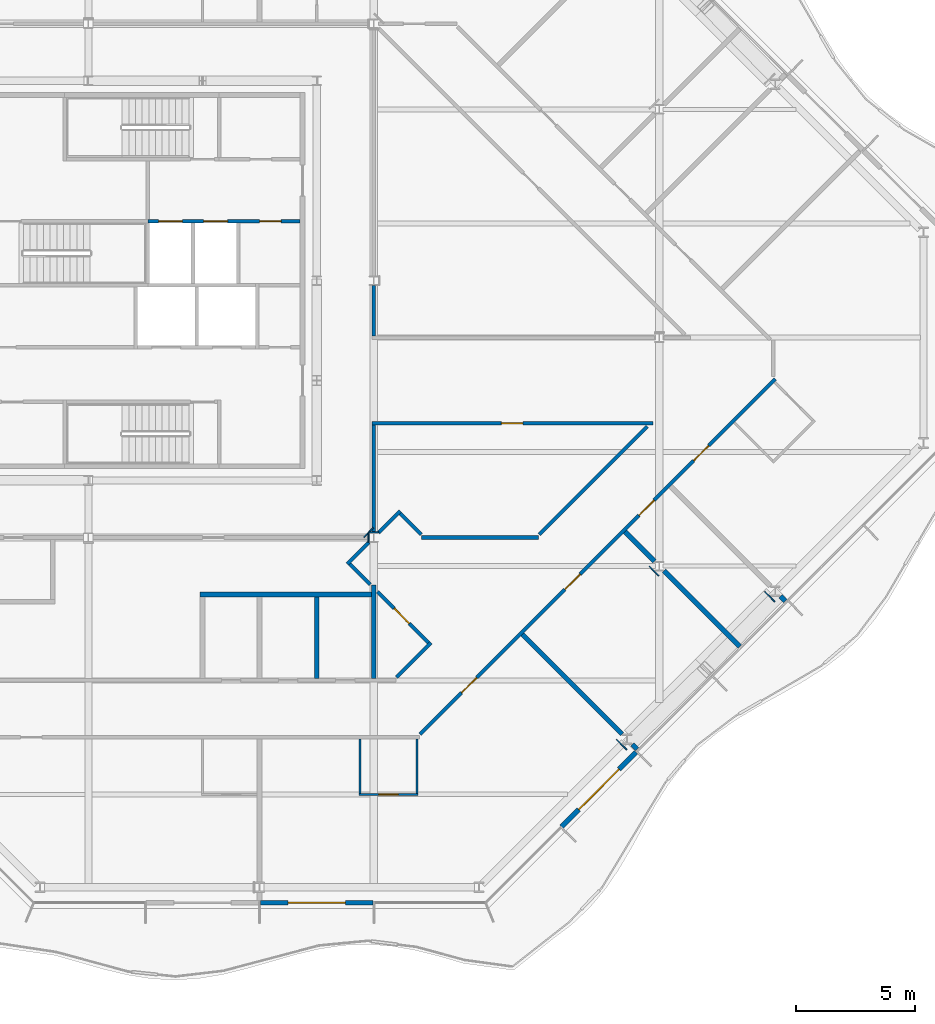
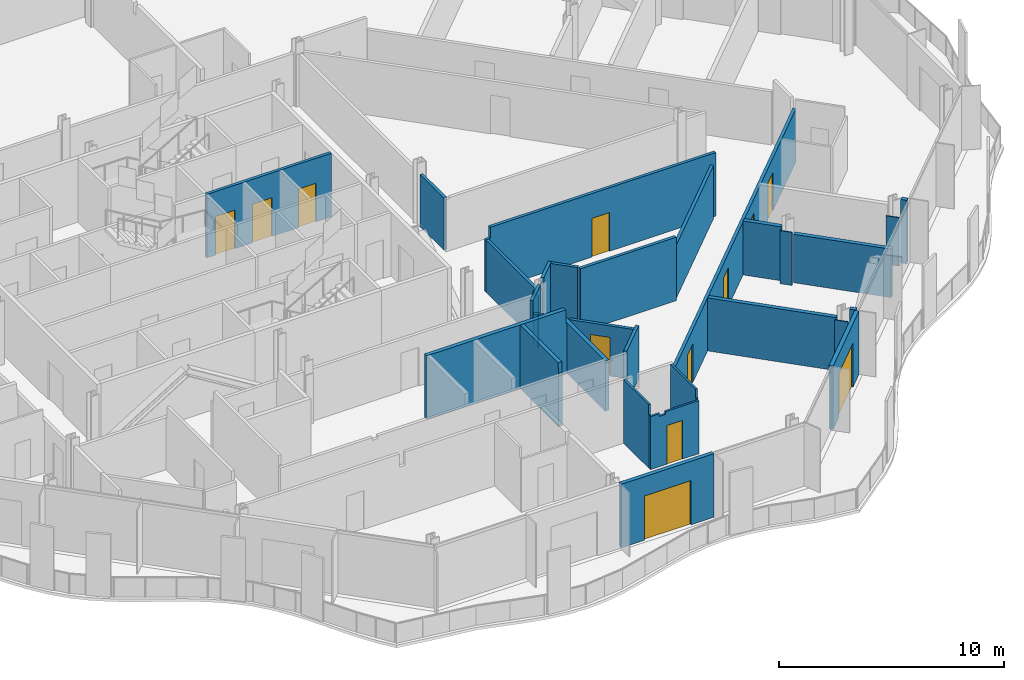
# One storey, part 9 of 17: 32 walls, 12 doors, 12 openings.
"""IFC4 building model written with IfcOpenShell, lengths in metres."""

from ifc_helpers import new_model, si_unit, direction, frame, frame_2d, origin, place, context, subcontext, project, spatial, polyline, rectangle, outline, extrude, material, layer, layer_set, type_object, element, fill, save


model = new_model("IFC4")

# Units and contexts
model_context = context("Model", 3, precision=1e-05, world=origin(), true_north=direction((0.0, 1.0)))
body_context = subcontext(model_context, "Body", "Model", "MODEL_VIEW")
ifc_project = project(units=[si_unit("LENGTHUNIT", "METRE"), si_unit("AREAUNIT", "SQUARE_METRE"), si_unit("VOLUMEUNIT", "CUBIC_METRE"), si_unit("PLANEANGLEUNIT", "RADIAN"), si_unit("MASSUNIT", "GRAM", prefix="KILO")], contexts=[model_context])

# Site, building, storey
site_placement = place(None, origin())
site = spatial("IfcSite", under=ifc_project, at=site_placement, CompositionType="ELEMENT")
building_placement = place(site_placement, origin())
building = spatial("IfcBuilding", under=site, at=building_placement, Name="Cairn Pilgrim Tower", CompositionType="ELEMENT")
storey_placement = place(building_placement, frame((0.0, 0.0, 217.800048828125)))
storey = spatial("IfcBuildingStorey", under=building, at=storey_placement, Name="L55", CompositionType="ELEMENT", Elevation=217.800048828125)

# Wall, opening, door
ifc_material_1 = material(Name="Bronze anodised aluminium insulated sandwich panel with mineral wool fill", Category="aluminium")
ifc_layer_1 = layer(ifc_material_1, 0.199951171875)
ifc_layer_set_1 = layer_set([ifc_layer_1], Name="BRONZE INFILL FRAME WALL 200")
wall_type_1 = type_object("IfcWallType", Name="BRONZE INFILL FRAME WALL 200", PredefinedType="NOTDEFINED", material=ifc_layer_set_1)
wall_1_placement = place(storey_placement, frame((14.429931640625, -23.75, 0.0), z_axis=(0.0, 0.0, 1.0), x_axis=(1.0, 0.0, 0.0)))
wall_1 = element("IfcWall", 1, at=wall_1_placement, inside=storey, type_object=wall_type_1, Name="Bronze infill frame wall IW-S3", PredefinedType="NOTDEFINED", context=body_context, shape_type="SweptSolid", body=[
    extrude(rectangle(XDim=4.739990234375, YDim=0.199951171875, at=frame_2d((2.3701171875, 0.0))), origin(), (0.0, 0.0, 1.0), 3.449951171875),
])
opening_1_placement = place(wall_1_placement, frame((1.169921875, 0.0, 0.0)))
opening_1 = element("IfcOpeningElement", 2, at=opening_1_placement, cuts=wall_1, Name="Opening 5501B2", PredefinedType="OPENING", context=body_context, shape_type="SweptSolid", body=[
    extrude(rectangle(XDim=2.39990234375, YDim=2.39990234375, at=frame_2d((1.199951171875, 1.199951171875))), frame((0.0, 0.10986328125, 0.0), z_axis=(0.0, -1.0, 0.0), x_axis=(1.0, 0.0, 0.0)), (0.0, 0.0, 1.0), 0.219970703125),
])
ifc_material_2 = material(Name="Bronze anodised aluminium frame with tinted low-E glass", Category="aluminium")
door_type_1 = type_object("IfcDoorType", Name="BALCONY SLIDING DOOR 2400x2400", OperationType="DOUBLE_DOOR_SLIDING", PredefinedType="DOOR", material=ifc_material_2)
door_1_placement = place(opening_1_placement, origin())
door_1 = element("IfcDoor", 3, at=door_1_placement, inside=storey, type_object=door_type_1, Name="Balcony sliding door 5501B2", OperationType="SINGLE_SWING_LEFT", OverallHeight=2.39990234375, OverallWidth=2.39990234375, PredefinedType="DOOR", context=body_context, shape_type="SweptSolid", body=[
    extrude(rectangle(XDim=2.39990234375, YDim=2.39990234375, at=frame_2d((1.199951171875, 1.199951171875))), frame((0.0, 0.02490234375, 0.0), z_axis=(0.0, -1.0, 0.0), x_axis=(1.0, 0.0, 0.0)), (0.0, 0.0, 1.0), 0.050048828125),
])
fill(opening_1, door_1)

wall_2_placement = place(storey_placement, frame((27.09326171875, -20.55322265625, 0.0), z_axis=(0.0, 0.0, 1.0), x_axis=(0.707079231393, 0.707134329907, 0.0)))
wall_2 = element("IfcWall", 4, at=wall_2_placement, inside=storey, type_object=wall_type_1, Name="Bronze infill frame wall IW-SE2", PredefinedType="NOTDEFINED", context=body_context, shape_type="SweptSolid", body=[
    extrude(rectangle(XDim=4.430908203125, YDim=0.199951171875, at=frame_2d((2.21533203125, 0.0))), origin(), (0.0, 0.0, 1.0), 3.449951171875),
])
opening_2_placement = place(wall_2_placement, frame((1.015380859375, 0.0, 0.0)))
opening_2 = element("IfcOpeningElement", 5, at=opening_2_placement, cuts=wall_2, Name="Opening 5501B", PredefinedType="OPENING", context=body_context, shape_type="SweptSolid", body=[
    extrude(rectangle(XDim=2.39990234375, YDim=2.39990234375, at=frame_2d((1.199951171875, 1.199951171875))), frame((0.0, 0.10986328125, 0.0), z_axis=(0.0, -1.0, 0.0), x_axis=(1.0, 0.0, 0.0)), (0.0, 0.0, 1.0), 0.219970703125),
])
door_2_placement = place(opening_2_placement, origin())
door_2 = element("IfcDoor", 6, at=door_2_placement, inside=storey, type_object=door_type_1, Name="Balcony sliding door 5501B", OperationType="SINGLE_SWING_LEFT", OverallHeight=2.39990234375, OverallWidth=2.39990234375, PredefinedType="DOOR", context=body_context, shape_type="SweptSolid", body=[
    extrude(rectangle(XDim=2.39990234375, YDim=2.39990234375, at=frame_2d((1.199951171875, 1.199951171875))), frame((0.0, 0.02490234375, 0.0), z_axis=(0.0, -1.0, 0.0), x_axis=(1.0, 0.0, 0.0)), (0.0, 0.0, 1.0), 0.050048828125),
])
fill(opening_2, door_2)

# Wall, openings, doors
ifc_material_3 = material(Name="Concrete C32/40", Category="concrete")
ifc_layer_2 = layer(ifc_material_3, 0.14990234375)
ifc_layer_set_2 = layer_set([ifc_layer_2], Name="CORE SHAFT WALL 150 EI 120")
wall_type_2 = type_object("IfcWallType", Name="CORE SHAFT WALL 150 EI 120", PredefinedType="SOLIDWALL", material=ifc_layer_set_2)
wall_3_placement = place(storey_placement, frame((9.699951171875, 4.89990234375, 0.0), z_axis=(0.0, 0.0, 1.0), x_axis=(1.0, 0.0, 0.0)))
wall_3 = element("IfcWall", 7, at=wall_3_placement, inside=storey, type_object=wall_type_2, Name="CW:L55:H09-3", PredefinedType="SOLIDWALL", context=body_context, shape_type="SweptSolid", body=[
    extrude(rectangle(XDim=6.400146484375, YDim=0.14990234375, at=frame_2d((3.2001953125, 0.0))), origin(), (0.0, 0.0, 1.0), 3.449951171875),
])
opening_3_placement = place(wall_3_placement, frame((0.449951171875, 0.0, 0.0)))
opening_3 = element("IfcOpeningElement", 8, at=opening_3_placement, cuts=wall_3, Name="Opening LD-FF1", PredefinedType="OPENING", context=body_context, shape_type="SweptSolid", body=[
    extrude(rectangle(XDim=1.0, YDim=2.10009765625, at=frame_2d((0.5, 1.050048828125))), frame((0.0, 0.0849609375, 0.0), z_axis=(0.0, -1.0, 0.0), x_axis=(1.0, 0.0, 0.0)), (0.0, 0.0, 1.0), 0.169921875),
])
opening_4_placement = place(wall_3_placement, frame((2.35009765625, 0.0, 0.0)))
opening_4 = element("IfcOpeningElement", 9, at=opening_4_placement, cuts=wall_3, Name="Opening LD-FF2", PredefinedType="OPENING", context=body_context, shape_type="SweptSolid", body=[
    extrude(rectangle(XDim=1.0, YDim=2.10009765625, at=frame_2d((0.5, 1.050048828125))), frame((0.0, 0.0849609375, 0.0), z_axis=(0.0, -1.0, 0.0), x_axis=(1.0, 0.0, 0.0)), (0.0, 0.0, 1.0), 0.169921875),
])
opening_5_placement = place(wall_3_placement, frame((4.699951171875, 0.0, 0.0)))
opening_5 = element("IfcOpeningElement", 10, at=opening_5_placement, cuts=wall_3, Name="Opening RD-R3E", PredefinedType="OPENING", context=body_context, shape_type="SweptSolid", body=[
    extrude(rectangle(XDim=0.89990234375, YDim=2.10009765625, at=frame_2d((0.449951171875, 1.050048828125))), frame((0.0, 0.0849609375, 0.0), z_axis=(0.0, -1.0, 0.0), x_axis=(1.0, 0.0, 0.0)), (0.0, 0.0, 1.0), 0.169921875),
])
ifc_material_4 = material(Name="Stainless steel", Category="steel")
door_type_2 = type_object("IfcDoorType", Name="LIFT LANDING DOOR FIRE 1000x2100", OperationType="DOUBLE_DOOR_SLIDING", PredefinedType="DOOR", material=ifc_material_4)
door_3_placement = place(opening_3_placement, origin())
door_3 = element("IfcDoor", 11, at=door_3_placement, inside=storey, type_object=door_type_2, Name="LANDING DOOR FF1", OperationType="DOUBLE_DOOR_SLIDING", OverallHeight=2.10009765625, OverallWidth=1.0, PredefinedType="DOOR", context=body_context, shape_type="SweptSolid", body=[
    extrude(rectangle(XDim=1.0, YDim=2.10009765625, at=frame_2d((0.5, 1.050048828125))), frame((0.0, 0.02490234375, 0.0), z_axis=(0.0, -1.0, 0.0), x_axis=(1.0, 0.0, 0.0)), (0.0, 0.0, 1.0), 0.050048828125),
])
fill(opening_3, door_3)
door_4_placement = place(opening_4_placement, origin())
door_4 = element("IfcDoor", 12, at=door_4_placement, inside=storey, type_object=door_type_2, Name="LANDING DOOR FF2", OperationType="DOUBLE_DOOR_SLIDING", OverallHeight=2.10009765625, OverallWidth=1.0, PredefinedType="DOOR", context=body_context, shape_type="SweptSolid", body=[
    extrude(rectangle(XDim=1.0, YDim=2.10009765625, at=frame_2d((0.5, 1.050048828125))), frame((0.0, 0.02490234375, 0.0), z_axis=(0.0, -1.0, 0.0), x_axis=(1.0, 0.0, 0.0)), (0.0, 0.0, 1.0), 0.050048828125),
])
fill(opening_4, door_4)
ifc_material_5 = material(Name="Painted steel", Category="steel")
door_type_3 = type_object("IfcDoorType", Name="SERVICE ROOM DOOR 900x2100", OperationType="SINGLE_SWING_LEFT", PredefinedType="DOOR", material=ifc_material_5)
door_5_placement = place(opening_5_placement, origin())
door_5 = element("IfcDoor", 13, at=door_5_placement, inside=storey, type_object=door_type_3, Name="RD-R3E", OperationType="SINGLE_SWING_RIGHT", OverallHeight=2.10009765625, OverallWidth=0.89990234375, PredefinedType="DOOR", context=body_context, shape_type="SweptSolid", body=[
    extrude(rectangle(XDim=0.89990234375, YDim=2.10009765625, at=frame_2d((0.449951171875, 1.050048828125))), frame((0.0, 0.02490234375, 0.0), z_axis=(0.0, -1.0, 0.0), x_axis=(1.0, 0.0, 0.0)), (0.0, 0.0, 1.0), 0.050048828125),
])
fill(opening_5, door_5)

# Wall, opening, door
ifc_material_6 = material(Name="Gypsum partition")
ifc_layer_3 = layer(ifc_material_6, 0.10009765625)
ifc_layer_set_3 = layer_set([ifc_layer_3], Name="PARTITION 100 DRYWALL")
wall_type_3 = type_object("IfcWallType", Name="PARTITION 100 DRYWALL", PredefinedType="PARTITIONING", material=ifc_layer_set_3)
wall_4_placement = place(storey_placement, frame((18.568115234375, -19.199951171875, 0.0), z_axis=(0.0, 0.0, 1.0), x_axis=(1.0, 0.0, 0.0)))
wall_4 = element("IfcWall", 14, at=wall_4_placement, inside=storey, type_object=wall_type_3, Name="PARTITION W004", PredefinedType="PARTITIONING", context=body_context, shape_type="SweptSolid", body=[
    extrude(outline(polyline([(0.0, 0.0), (2.5, 0.0), (2.5, 2.8798828125), (0.781982421875, 2.8798828125), (0.780029296875, 2.72998046875), (0.48193359375, 2.72998046875), (0.47998046875, 2.8798828125), (0.0, 2.8798828125), (0.0, 0.0)])), frame((0.0, 0.050048828125, 0.0), z_axis=(0.0, -1.0, 0.0), x_axis=(1.0, 0.0, 0.0)), (0.0, 0.0, 1.0), 0.10009765625),
])
opening_6_placement = place(wall_4_placement, frame((0.85009765625, 0.0, 0.0)))
opening_6 = element("IfcOpeningElement", 15, at=opening_6_placement, cuts=wall_4, Name="Opening 5501A", PredefinedType="OPENING", context=body_context, shape_type="SweptSolid", body=[
    extrude(rectangle(XDim=0.800048828125, YDim=2.10009765625, at=frame_2d((0.39990234375, 1.050048828125))), frame((0.0, 0.06005859375, 0.0), z_axis=(0.0, -1.0, 0.0), x_axis=(1.0, 0.0, 0.0)), (0.0, 0.0, 1.0), 0.1201171875),
])
ifc_material_7 = material(Name="Timber door leaf", Category="wood")
door_type_4 = type_object("IfcDoorType", Name="WC DOOR 800x2100", OperationType="NOTDEFINED", PredefinedType="DOOR", material=ifc_material_7)
door_6_placement = place(opening_6_placement, frame((0.800048828125, 0.0, 0.0), z_axis=(0.0, 0.0, 1.0), x_axis=(-1.0, 0.0, 0.0)))
door_6 = element("IfcDoor", 16, at=door_6_placement, inside=storey, type_object=door_type_4, Name="DOOR 5501A", OperationType="SINGLE_SWING_LEFT", OverallHeight=2.10009765625, OverallWidth=0.800048828125, PredefinedType="DOOR", context=body_context, shape_type="SweptSolid", body=[
    extrude(rectangle(XDim=0.800048828125, YDim=2.10009765625, at=frame_2d((0.39990234375, 1.050048828125))), frame((0.0, 0.02490234375, 0.0), z_axis=(0.0, -1.0, 0.0), x_axis=(1.0, 0.0, 0.0)), (0.0, 0.0, 1.0), 0.050048828125),
])
fill(opening_6, door_6)

# Walls
wall_5_placement = place(storey_placement, frame((18.617919921875, -19.14990234375, 0.0), z_axis=(0.0, 0.0, 1.0), x_axis=(0.0, 1.0, 0.0)))
element("IfcWall", 17, at=wall_5_placement, inside=storey, type_object=wall_type_3, Name="PARTITION W006", PredefinedType="PARTITIONING", context=body_context, shape_type="SweptSolid", body=[
    extrude(outline(polyline([(0.0, 0.0), (2.27490234375, 0.0), (2.27490234375, 3.449951171875), (0.054931640625, 3.449951171875), (0.052978515625, 2.8798828125), (0.0, 2.8798828125), (0.0, 0.0)])), frame((0.0, 0.050048828125, 0.0), z_axis=(0.0, -1.0, 0.0), x_axis=(1.0, 0.0, 0.0)), (0.0, 0.0, 1.0), 0.10009765625),
])
wall_6_placement = place(storey_placement, frame((21.01806640625, -19.14990234375, 0.0), z_axis=(0.0, 0.0, 1.0), x_axis=(0.0, 1.0, 0.0)))
element("IfcWall", 18, at=wall_6_placement, inside=storey, type_object=wall_type_3, Name="PARTITION W007", PredefinedType="PARTITIONING", context=body_context, shape_type="SweptSolid", body=[
    extrude(outline(polyline([(0.0, 0.0), (2.27490234375, 0.0), (2.27490234375, 3.449951171875), (0.044921875, 3.449951171875), (0.04296875, 2.97998046875), (0.0, 2.97998046875), (0.0, 0.0)])), frame((0.0, 0.050048828125, 0.0), z_axis=(0.0, -1.0, 0.0), x_axis=(1.0, 0.0, 0.0)), (0.0, 0.0, 1.0), 0.10009765625),
])

# Wall, openings, doors
ifc_layer_4 = layer(ifc_material_6, 0.14990234375)
ifc_layer_set_4 = layer_set([ifc_layer_4], Name="PARTITION 150 DRYWALL EI 60")
wall_type_4 = type_object("IfcWallType", Name="PARTITION 150 DRYWALL EI 60", PredefinedType="PARTITIONING", material=ifc_layer_set_4)
wall_7_placement = place(storey_placement, frame((21.14599609375, -16.672119140625, 0.0), z_axis=(0.0, 0.0, 1.0), x_axis=(0.707100999376, 0.70711256295, 0.0)))
wall_7 = element("IfcWall", 19, at=wall_7_placement, inside=storey, type_object=wall_type_4, Name="PARTITION W011", PredefinedType="PARTITIONING", context=body_context, shape_type="SweptSolid", body=[
    extrude(rectangle(XDim=21.11279296875, YDim=0.14990234375, at=frame_2d((10.556396484375, 0.0))), origin(), (0.0, 0.0, 1.0), 2.8798828125),
])
opening_7_placement = place(wall_7_placement, frame((2.4658203125, 0.0, 0.0)))
opening_7 = element("IfcOpeningElement", 20, at=opening_7_placement, cuts=wall_7, Name="Opening 5501", PredefinedType="OPENING", context=body_context, shape_type="SweptSolid", body=[
    extrude(rectangle(XDim=0.89990234375, YDim=2.10009765625, at=frame_2d((0.449951171875, 1.050048828125))), frame((0.0, 0.0849609375, 0.0), z_axis=(0.0, -1.0, 0.0), x_axis=(1.0, 0.0, 0.0)), (0.0, 0.0, 1.0), 0.169921875),
])
opening_8_placement = place(wall_7_placement, frame((8.61083984375, 0.0, 0.0)))
opening_8 = element("IfcOpeningElement", 21, at=opening_8_placement, cuts=wall_7, Name="Opening 5502", PredefinedType="OPENING", context=body_context, shape_type="SweptSolid", body=[
    extrude(rectangle(XDim=0.89990234375, YDim=2.10009765625, at=frame_2d((0.449951171875, 1.050048828125))), frame((0.0, 0.0849609375, 0.0), z_axis=(0.0, -1.0, 0.0), x_axis=(1.0, 0.0, 0.0)), (0.0, 0.0, 1.0), 0.169921875),
])
opening_9_placement = place(wall_7_placement, frame((13.01171875, 0.0, 0.0)))
opening_9 = element("IfcOpeningElement", 22, at=opening_9_placement, cuts=wall_7, Name="Opening 5503", PredefinedType="OPENING", context=body_context, shape_type="SweptSolid", body=[
    extrude(rectangle(XDim=0.89990234375, YDim=2.10009765625, at=frame_2d((0.449951171875, 1.050048828125))), frame((0.0, 0.0849609375, 0.0), z_axis=(0.0, -1.0, 0.0), x_axis=(1.0, 0.0, 0.0)), (0.0, 0.0, 1.0), 0.169921875),
])
opening_10_placement = place(wall_7_placement, frame((16.2607421875, 0.0, 0.0)))
opening_10 = element("IfcOpeningElement", 23, at=opening_10_placement, cuts=wall_7, Name="Opening 5504", PredefinedType="OPENING", context=body_context, shape_type="SweptSolid", body=[
    extrude(rectangle(XDim=0.89990234375, YDim=2.10009765625, at=frame_2d((0.449951171875, 1.050048828125))), frame((0.0, 0.0849609375, 0.0), z_axis=(0.0, -1.0, 0.0), x_axis=(1.0, 0.0, 0.0)), (0.0, 0.0, 1.0), 0.169921875),
])
door_type_5 = type_object("IfcDoorType", Name="ROOM DOOR 900x2100 FD30S", OperationType="NOTDEFINED", PredefinedType="DOOR", material=ifc_material_7)
door_7_placement = place(opening_7_placement, frame((0.89990234375, 0.0, 0.0), z_axis=(0.0, 0.0, 1.0), x_axis=(-1.0, 0.0, 0.0)))
door_7 = element("IfcDoor", 24, at=door_7_placement, inside=storey, type_object=door_type_5, Name="DOOR 5501", OperationType="SINGLE_SWING_LEFT", OverallHeight=2.10009765625, OverallWidth=0.89990234375, PredefinedType="DOOR", context=body_context, shape_type="SweptSolid", body=[
    extrude(rectangle(XDim=0.89990234375, YDim=2.10009765625, at=frame_2d((0.449951171875, 1.050048828125))), frame((0.0, 0.02490234375, 0.0), z_axis=(0.0, -1.0, 0.0), x_axis=(1.0, 0.0, 0.0)), (0.0, 0.0, 1.0), 0.050048828125),
])
fill(opening_7, door_7)
door_8_placement = place(opening_10_placement, frame((0.89990234375, 0.0, 0.0), z_axis=(0.0, 0.0, 1.0), x_axis=(-1.0, 0.0, 0.0)))
door_8 = element("IfcDoor", 25, at=door_8_placement, inside=storey, type_object=door_type_5, Name="DOOR 5504", OperationType="SINGLE_SWING_LEFT", OverallHeight=2.10009765625, OverallWidth=0.89990234375, PredefinedType="DOOR", context=body_context, shape_type="SweptSolid", body=[
    extrude(rectangle(XDim=0.89990234375, YDim=2.10009765625, at=frame_2d((0.449951171875, 1.050048828125))), frame((0.0, 0.02490234375, 0.0), z_axis=(0.0, -1.0, 0.0), x_axis=(1.0, 0.0, 0.0)), (0.0, 0.0, 1.0), 0.050048828125),
])
fill(opening_10, door_8)
door_type_6 = type_object("IfcDoorType", Name="SERVICE DOOR 900x2100 FD30S", OperationType="NOTDEFINED", PredefinedType="DOOR", material=ifc_material_7)
door_9_placement = place(opening_8_placement, frame((0.89990234375, 0.0, 0.0), z_axis=(0.0, 0.0, 1.0), x_axis=(-1.0, 0.0, 0.0)))
door_9 = element("IfcDoor", 26, at=door_9_placement, inside=storey, type_object=door_type_6, Name="DOOR 5502", OperationType="SINGLE_SWING_LEFT", OverallHeight=2.10009765625, OverallWidth=0.89990234375, PredefinedType="DOOR", context=body_context, shape_type="SweptSolid", body=[
    extrude(rectangle(XDim=0.89990234375, YDim=2.10009765625, at=frame_2d((0.449951171875, 1.050048828125))), frame((0.0, 0.02490234375, 0.0), z_axis=(0.0, -1.0, 0.0), x_axis=(1.0, 0.0, 0.0)), (0.0, 0.0, 1.0), 0.050048828125),
])
fill(opening_8, door_9)
door_10_placement = place(opening_9_placement, frame((0.89990234375, 0.0, 0.0), z_axis=(0.0, 0.0, 1.0), x_axis=(-1.0, 0.0, 0.0)))
door_10 = element("IfcDoor", 27, at=door_10_placement, inside=storey, type_object=door_type_6, Name="DOOR 5503", OperationType="SINGLE_SWING_LEFT", OverallHeight=2.10009765625, OverallWidth=0.89990234375, PredefinedType="DOOR", context=body_context, shape_type="SweptSolid", body=[
    extrude(rectangle(XDim=0.89990234375, YDim=2.10009765625, at=frame_2d((0.449951171875, 1.050048828125))), frame((0.0, 0.02490234375, 0.0), z_axis=(0.0, -1.0, 0.0), x_axis=(1.0, 0.0, 0.0)), (0.0, 0.0, 1.0), 0.050048828125),
])
fill(opening_9, door_10)

# Wall
wall_8_placement = place(storey_placement, frame((20.15087890625, -14.27197265625, 0.0), z_axis=(0.0, 0.0, 1.0), x_axis=(0.707106781187, 0.707106781187, 0.0)))
element("IfcWall", 28, at=wall_8_placement, inside=storey, type_object=wall_type_4, Name="PARTITION W022", PredefinedType="PARTITIONING", context=body_context, shape_type="SweptSolid", body=[
    extrude(rectangle(XDim=2.054931640625, YDim=0.14990234375, at=frame_2d((1.02734375, 0.0))), origin(), (0.0, 0.0, 1.0), 2.8798828125),
])

# Wall, opening, door
wall_9_placement = place(storey_placement, frame((21.498046875, -12.819091796875, 0.0), z_axis=(0.0, 0.0, 1.0), x_axis=(-0.707106781187, 0.707106781187, 0.0)))
wall_9 = element("IfcWall", 29, at=wall_9_placement, inside=storey, type_object=wall_type_4, Name="PARTITION W025", PredefinedType="PARTITIONING", context=body_context, shape_type="SweptSolid", body=[
    extrude(rectangle(XDim=3.033447265625, YDim=0.14990234375, at=frame_2d((1.5166015625, 0.0))), origin(), (0.0, 0.0, 1.0), 2.72998046875),
])
opening_11_placement = place(wall_9_placement, frame((1.136962890625, 0.0, 0.0)))
opening_11 = element("IfcOpeningElement", 30, at=opening_11_placement, cuts=wall_9, Name="Opening 5517", PredefinedType="OPENING", context=body_context, shape_type="SweptSolid", body=[
    extrude(rectangle(XDim=0.89990234375, YDim=2.10009765625, at=frame_2d((0.449951171875, 1.050048828125))), frame((0.0, 0.0849609375, 0.0), z_axis=(0.0, -1.0, 0.0), x_axis=(1.0, 0.0, 0.0)), (0.0, 0.0, 1.0), 0.169921875),
])
door_11_placement = place(opening_11_placement, origin())
door_11 = element("IfcDoor", 31, at=door_11_placement, inside=storey, type_object=door_type_6, Name="DOOR 5517", OperationType="SINGLE_SWING_RIGHT", OverallHeight=2.10009765625, OverallWidth=0.89990234375, PredefinedType="DOOR", context=body_context, shape_type="SweptSolid", body=[
    extrude(rectangle(XDim=0.89990234375, YDim=2.10009765625, at=frame_2d((0.449951171875, 1.050048828125))), frame((0.0, 0.02490234375, 0.0), z_axis=(0.0, -1.0, 0.0), x_axis=(1.0, 0.0, 0.0)), (0.0, 0.0, 1.0), 0.050048828125),
])
fill(opening_11, door_11)

# Walls
wall_10_placement = place(storey_placement, frame((19.047119140625, -10.3681640625, 0.0), z_axis=(0.0, 0.0, 1.0), x_axis=(-0.707409718716, 0.706803713817, 0.0)))
element("IfcWall", 32, at=wall_10_placement, inside=storey, type_object=wall_type_4, Name="PARTITION W031", PredefinedType="PARTITIONING", context=body_context, shape_type="SweptSolid", body=[
    extrude(rectangle(XDim=1.20849609375, YDim=0.14990234375, at=frame_2d((0.604248046875, 0.0))), origin(), (0.0, 0.0, 1.0), 2.72998046875),
])
wall_11_placement = place(storey_placement, frame((18.0859375, -9.513916015625, 0.0), z_axis=(0.0, 0.0, 1.0), x_axis=(0.707106781187, 0.707106781187, 0.0)))
element("IfcWall", 33, at=wall_11_placement, inside=storey, type_object=wall_type_4, Name="PARTITION W033", PredefinedType="PARTITIONING", context=body_context, shape_type="SweptSolid", body=[
    extrude(rectangle(XDim=1.29541015625, YDim=0.14990234375, at=frame_2d((0.647705078125, 0.0))), origin(), (0.0, 0.0, 1.0), 3.449951171875),
])
wall_12_placement = place(storey_placement, frame((21.215087890625, -8.39990234375, 0.0), z_axis=(0.0, 0.0, 1.0), x_axis=(1.0, 0.0, 0.0)))
element("IfcWall", 34, at=wall_12_placement, inside=storey, type_object=wall_type_4, Name="PARTITION W038", PredefinedType="PARTITIONING", context=body_context, shape_type="SweptSolid", body=[
    extrude(rectangle(XDim=4.9140625, YDim=0.14990234375, at=frame_2d((2.45703125, 0.0))), origin(), (0.0, 0.0, 1.0), 3.449951171875),
])
wall_13_placement = place(storey_placement, frame((21.193115234375, -8.27197265625, 0.0), z_axis=(0.0, 0.0, 1.0), x_axis=(-0.706812296552, 0.70740114323, 0.0)))
element("IfcWall", 35, at=wall_13_placement, inside=storey, type_object=wall_type_4, Name="PARTITION W039", PredefinedType="PARTITIONING", context=body_context, shape_type="SweptSolid", body=[
    extrude(rectangle(XDim=1.243896484375, YDim=0.14990234375, at=frame_2d((0.6220703125, 0.0))), origin(), (0.0, 0.0, 1.0), 3.449951171875),
])
wall_14_placement = place(storey_placement, frame((26.151123046875, -8.27197265625, 0.0), z_axis=(0.0, 0.0, 1.0), x_axis=(0.707163762272, 0.707049795509, 0.0)))
element("IfcWall", 36, at=wall_14_placement, inside=storey, type_object=wall_type_4, Name="PARTITION W040", PredefinedType="PARTITIONING", context=body_context, shape_type="SweptSolid", body=[
    extrude(rectangle(XDim=6.426513671875, YDim=0.14990234375, at=frame_2d((3.21337890625, 0.0))), origin(), (0.0, 0.0, 1.0), 2.8798828125),
])
wall_15_placement = place(storey_placement, frame((19.199951171875, -8.20361328125, 0.0), z_axis=(0.0, 0.0, 1.0), x_axis=(0.0, 1.0, 0.0)))
element("IfcWall", 37, at=wall_15_placement, inside=storey, type_object=wall_type_4, Name="PARTITION W042", PredefinedType="PARTITIONING", context=body_context, shape_type="SweptSolid", body=[
    extrude(rectangle(XDim=4.528564453125, YDim=0.14990234375, at=frame_2d((2.26416015625, 0.0))), origin(), (0.0, 0.0, 1.0), 2.829833984375),
])
wall_16_placement = place(storey_placement, frame((19.39794921875, -8.201904296875, 0.0), z_axis=(0.0, 0.0, 1.0), x_axis=(0.707200993001, 0.707012556818, 0.0)))
element("IfcWall", 38, at=wall_16_placement, inside=storey, type_object=wall_type_4, Name="PARTITION W043", PredefinedType="PARTITIONING", context=body_context, shape_type="SweptSolid", body=[
    extrude(rectangle(XDim=1.295654296875, YDim=0.14990234375, at=frame_2d((0.64794921875, 0.0))), origin(), (0.0, 0.0, 1.0), 3.449951171875),
])

# Wall, opening, door
wall_17_placement = place(storey_placement, frame((19.125, -3.60009765625, 0.0), z_axis=(0.0, 0.0, 1.0), x_axis=(1.0, 0.0, 0.0)))
wall_17 = element("IfcWall", 39, at=wall_17_placement, inside=storey, type_object=wall_type_4, Name="PARTITION W048", PredefinedType="PARTITIONING", context=body_context, shape_type="SweptSolid", body=[
    extrude(outline(polyline([(0.0, 0.0), (11.80517578125, 0.0), (11.80517578125, 3.449951171875), (0.22509765625, 3.449951171875), (0.222900390625, 2.829833984375), (0.0, 2.829833984375), (0.0, 0.0)])), frame((0.0, 0.074951171875, 0.0), z_axis=(0.0, -1.0, 0.0), x_axis=(1.0, 0.0, 0.0)), (0.0, 0.0, 1.0), 0.14990234375),
])
opening_12_placement = place(wall_17_placement, frame((5.43701171875, 0.0, 0.0)))
opening_12 = element("IfcOpeningElement", 40, at=opening_12_placement, cuts=wall_17, Name="Opening 5518", PredefinedType="OPENING", context=body_context, shape_type="SweptSolid", body=[
    extrude(rectangle(XDim=0.89990234375, YDim=2.10009765625, at=frame_2d((0.449951171875, 1.050048828125))), frame((0.0, 0.0849609375, 0.0), z_axis=(0.0, -1.0, 0.0), x_axis=(1.0, 0.0, 0.0)), (0.0, 0.0, 1.0), 0.169921875),
])
door_12_placement = place(opening_12_placement, frame((0.89990234375, 0.0, 0.0), z_axis=(0.0, 0.0, 1.0), x_axis=(-1.0, 0.0, 0.0)))
door_12 = element("IfcDoor", 41, at=door_12_placement, inside=storey, type_object=door_type_6, Name="DOOR 5518", OperationType="SINGLE_SWING_RIGHT", OverallHeight=2.10009765625, OverallWidth=0.89990234375, PredefinedType="DOOR", context=body_context, shape_type="SweptSolid", body=[
    extrude(rectangle(XDim=0.89990234375, YDim=2.10009765625, at=frame_2d((0.449951171875, 1.050048828125))), frame((0.0, 0.02490234375, 0.0), z_axis=(0.0, -1.0, 0.0), x_axis=(1.0, 0.0, 0.0)), (0.0, 0.0, 1.0), 0.050048828125),
])
fill(opening_12, door_12)

# Walls
wall_18_placement = place(storey_placement, frame((19.199951171875, 0.074951171875, 0.0), z_axis=(0.0, 0.0, 1.0), x_axis=(0.0, 1.0, 0.0)))
element("IfcWall", 42, at=wall_18_placement, inside=storey, type_object=wall_type_4, Name="PARTITION W055", PredefinedType="PARTITIONING", context=body_context, shape_type="SweptSolid", body=[
    extrude(rectangle(XDim=2.128662109375, YDim=0.14990234375, at=frame_2d((1.064453125, 0.0))), origin(), (0.0, 0.0, 1.0), 2.829833984375),
])
ifc_layer_5 = layer(ifc_material_6, 0.050048828125)
ifc_layer_set_5 = layer_set([ifc_layer_5], Name="PARTITION 50 DRYWALL EI 60")
wall_type_5 = type_object("IfcWallType", Name="PARTITION 50 DRYWALL EI 60", PredefinedType="PARTITIONING", material=ifc_layer_set_5)
wall_19_placement = place(storey_placement, frame((29.833740234375, -17.324462890625, 0.0), z_axis=(0.0, 0.0, 1.0), x_axis=(-0.706906496032, 0.707307009627, 0.0)))
element("IfcWall", 43, at=wall_19_placement, inside=storey, type_object=wall_type_5, Name="COLUMN CASING WC02", PredefinedType="PARTITIONING", context=body_context, shape_type="SweptSolid", body=[
    extrude(rectangle(XDim=0.609619140625, YDim=0.050048828125, at=frame_2d((0.3046875, 0.0))), origin(), (0.0, 0.0, 1.0), 2.929931640625),
])
wall_20_placement = place(storey_placement, frame((31.182373046875, -10.013671875, 0.0), z_axis=(0.0, 0.0, 1.0), x_axis=(-0.707106781187, 0.707106781187, 0.0)))
element("IfcWall", 44, at=wall_20_placement, inside=storey, type_object=wall_type_5, Name="COLUMN CASING WC04", PredefinedType="PARTITIONING", context=body_context, shape_type="SweptSolid", body=[
    extrude(rectangle(XDim=0.56005859375, YDim=0.050048828125, at=frame_2d((0.280029296875, 0.0))), origin(), (0.0, 0.0, 1.0), 2.8798828125),
])
wall_21_placement = place(storey_placement, frame((36.05810546875, -11.10009765625, 0.0), z_axis=(0.0, 0.0, 1.0), x_axis=(-0.707307009627, 0.706906496032, 0.0)))
element("IfcWall", 45, at=wall_21_placement, inside=storey, type_object=wall_type_5, Name="COLUMN CASING WC05", PredefinedType="PARTITIONING", context=body_context, shape_type="SweptSolid", body=[
    extrude(rectangle(XDim=0.609619140625, YDim=0.050048828125, at=frame_2d((0.3046875, 0.0))), origin(), (0.0, 0.0, 1.0), 2.6298828125),
])
wall_22_placement = place(storey_placement, frame((18.786376953125, -8.38232421875, 0.0), z_axis=(0.0, 0.0, 1.0), x_axis=(0.707106781187, 0.707106781187, 0.0)))
element("IfcWall", 46, at=wall_22_placement, inside=storey, type_object=wall_type_5, Name="COLUMN CASING WC07", PredefinedType="PARTITIONING", context=body_context, shape_type="SweptSolid", body=[
    extrude(rectangle(XDim=0.56005859375, YDim=0.050048828125, at=frame_2d((0.280029296875, 0.0))), origin(), (0.0, 0.0, 1.0), 2.829833984375),
])
wall_23_placement = place(storey_placement, frame((19.00048828125, -8.178466796875, 0.0), z_axis=(0.0, 0.0, 1.0), x_axis=(1.0, 0.0, 0.0)))
element("IfcWall", 47, at=wall_23_placement, inside=storey, type_object=wall_type_5, Name="COLUMN CASING WC12", PredefinedType="PARTITIONING", context=body_context, shape_type="SweptSolid", body=[
    extrude(rectangle(XDim=0.39892578125, YDim=0.050048828125, at=frame_2d((0.199462890625, 0.0))), origin(), (0.0, 0.0, 1.0), 2.829833984375),
])
wall_24_placement = place(storey_placement, frame((18.9755859375, -8.596435546875, 0.0), z_axis=(0.0, 0.0, 1.0), x_axis=(0.0, 1.0, 0.0)))
element("IfcWall", 48, at=wall_24_placement, inside=storey, type_object=wall_type_5, Name="COLUMN CASING WC13", PredefinedType="PARTITIONING", context=body_context, shape_type="SweptSolid", body=[
    extrude(rectangle(XDim=0.392822265625, YDim=0.050048828125, at=frame_2d((0.1962890625, 0.0))), origin(), (0.0, 0.0, 1.0), 2.829833984375),
])
ifc_layer_6 = layer(ifc_material_6, 0.199951171875)
ifc_layer_set_6 = layer_set([ifc_layer_6], Name="SHAFT WALL 200 GYPSUM EI 60")
wall_type_6 = type_object("IfcWallType", Name="SHAFT WALL 200 GYPSUM EI 60", PredefinedType="PARTITIONING", material=ifc_layer_set_6)
wall_25_placement = place(storey_placement, frame((30.268798828125, -17.292724609375, 0.0), z_axis=(0.0, 0.0, 1.0), x_axis=(-0.707106781187, 0.707106781187, 0.0)))
element("IfcWall", 49, at=wall_25_placement, inside=storey, type_object=wall_type_6, Name="PARTITION W008", PredefinedType="PARTITIONING", context=body_context, shape_type="SweptSolid", body=[
    extrude(rectangle(XDim=0.28515625, YDim=0.199951171875, at=frame_2d((0.142578125, 0.0))), origin(), (0.0, 0.0, 1.0), 3.449951171875),
])
wall_26_placement = place(storey_placement, frame((29.635986328125, -16.66015625, 0.0), z_axis=(0.0, 0.0, 1.0), x_axis=(-0.707106781187, 0.707106781187, 0.0)))
element("IfcWall", 50, at=wall_26_placement, inside=storey, type_object=wall_type_6, Name="PARTITION W012", PredefinedType="PARTITIONING", context=body_context, shape_type="SweptSolid", body=[
    extrude(rectangle(XDim=5.919921875, YDim=0.199951171875, at=frame_2d((2.9599609375, 0.0))), origin(), (0.0, 0.0, 1.0), 2.8798828125),
])
wall_27_placement = place(storey_placement, frame((16.800048828125, -14.324951171875, 0.0), z_axis=(0.0, 0.0, 1.0), x_axis=(0.0, 1.0, 0.0)))
element("IfcWall", 51, at=wall_27_placement, inside=storey, type_object=wall_type_6, Name="PARTITION W020", PredefinedType="PARTITIONING", context=body_context, shape_type="SweptSolid", body=[
    extrude(outline(polyline([(0.0, 0.0), (3.425048828125, 0.0), (3.425048828125, 3.449951171875), (0.030029296875, 3.449951171875), (0.028076171875, 2.8798828125), (0.0, 2.8798828125), (0.0, 0.0)])), frame((0.0, 0.10009765625, 0.0), z_axis=(0.0, -1.0, 0.0), x_axis=(1.0, 0.0, 0.0)), (0.0, 0.0, 1.0), 0.199951171875),
])
wall_28_placement = place(storey_placement, frame((19.199951171875, -14.324951171875, 0.0), z_axis=(0.0, 0.0, 1.0), x_axis=(0.0, 1.0, 0.0)))
element("IfcWall", 52, at=wall_28_placement, inside=storey, type_object=wall_type_6, Name="PARTITION W021", PredefinedType="PARTITIONING", context=body_context, shape_type="SweptSolid", body=[
    extrude(rectangle(XDim=3.92041015625, YDim=0.199951171875, at=frame_2d((1.960205078125, 0.0))), origin(), (0.0, 0.0, 1.0), 2.72998046875),
])
wall_29_placement = place(storey_placement, frame((34.580810546875, -12.980712890625, 0.0), z_axis=(0.0, 0.0, 1.0), x_axis=(-0.707133900936, 0.707079660397, 0.0)))
element("IfcWall", 53, at=wall_29_placement, inside=storey, type_object=wall_type_6, Name="PARTITION W024", PredefinedType="PARTITIONING", context=body_context, shape_type="SweptSolid", body=[
    extrude(rectangle(XDim=4.5009765625, YDim=0.199951171875, at=frame_2d((2.25048828125, 0.0))), origin(), (0.0, 0.0, 1.0), 2.6298828125),
])
wall_30_placement = place(storey_placement, frame((36.492919921875, -11.06884765625, 0.0), z_axis=(0.0, 0.0, 1.0), x_axis=(-0.707534423513, 0.706678880075, 0.0)))
element("IfcWall", 54, at=wall_30_placement, inside=storey, type_object=wall_type_6, Name="PARTITION W027", PredefinedType="PARTITIONING", context=body_context, shape_type="SweptSolid", body=[
    extrude(rectangle(XDim=0.285400390625, YDim=0.199951171875, at=frame_2d((0.142578125, 0.0))), origin(), (0.0, 0.0, 1.0), 3.449951171875),
])
wall_31_placement = place(storey_placement, frame((11.89990234375, -10.800048828125, 0.0), z_axis=(0.0, 0.0, 1.0), x_axis=(1.0, 0.0, 0.0)))
element("IfcWall", 55, at=wall_31_placement, inside=storey, type_object=wall_type_6, Name="PARTITION W030", PredefinedType="PARTITIONING", context=body_context, shape_type="SweptSolid", body=[
    extrude(outline(polyline([(0.0, 0.0), (7.2001953125, 0.0), (7.199951171875, 2.72998046875), (7.14990234375, 2.72998046875), (7.14794921875, 3.449951171875), (0.0, 3.449951171875), (0.0, 0.0)])), frame((0.0, 0.10009765625, 0.0), z_axis=(0.0, -1.0, 0.0), x_axis=(1.0, 0.0, 0.0)), (0.0, 0.0, 1.0), 0.199951171875),
])
wall_32_placement = place(storey_placement, frame((31.001953125, -9.402099609375, 0.0), z_axis=(0.0, 0.0, 1.0), x_axis=(-0.707106781187, 0.707106781187, 0.0)))
element("IfcWall", 56, at=wall_32_placement, inside=storey, type_object=wall_type_6, Name="PARTITION W034", PredefinedType="PARTITIONING", context=body_context, shape_type="SweptSolid", body=[
    extrude(rectangle(XDim=1.753662109375, YDim=0.199951171875, at=frame_2d((0.876953125, 0.0))), origin(), (0.0, 0.0, 1.0), 2.929931640625),
])

save(model, "model.ifc")
